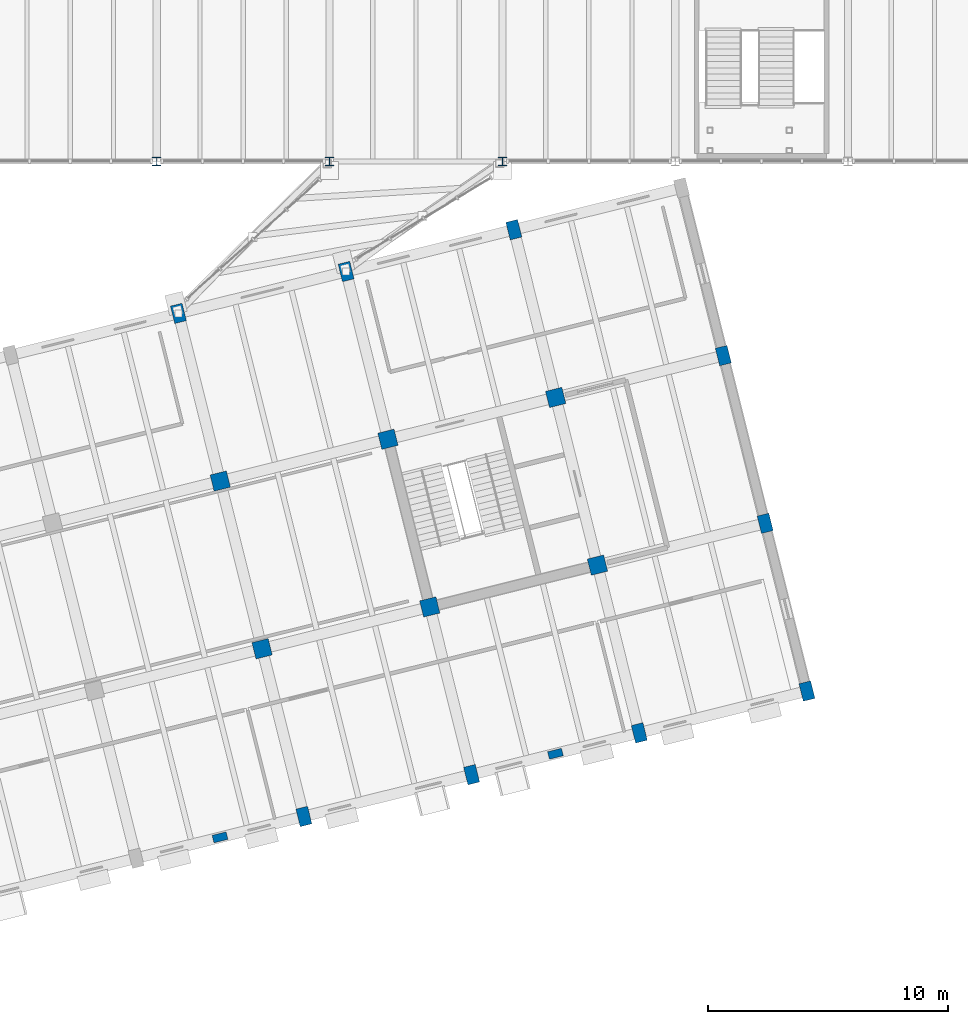
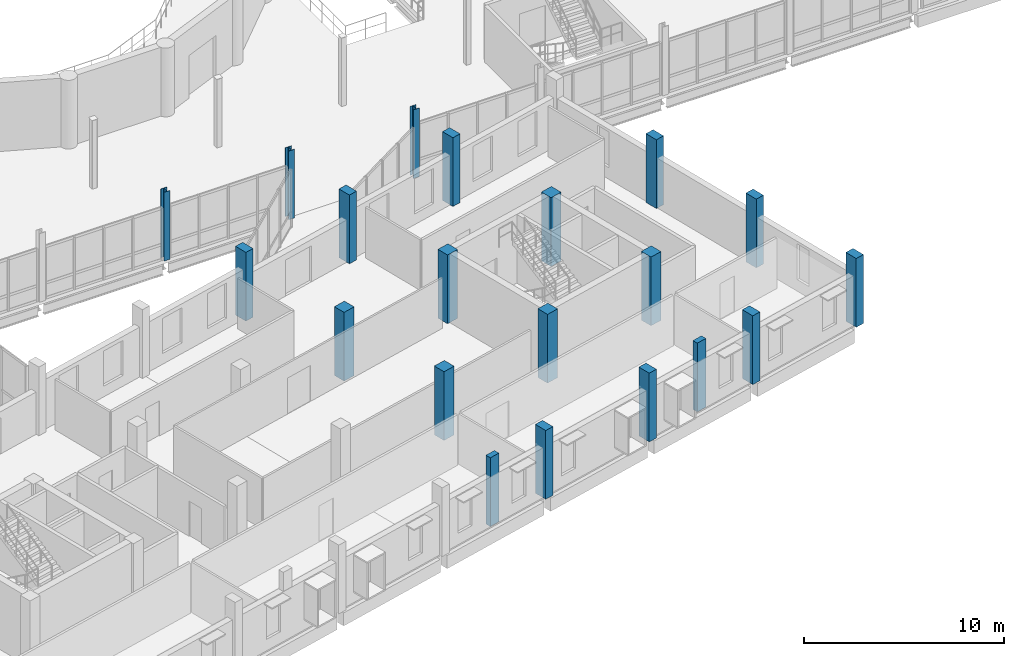
# One storey, part 5 of 72: 20 columns.
"""IFC4 building model written with IfcOpenShell, lengths in metres."""

from ifc_helpers import new_model, si_unit, direction, frame, origin, origin_2d, place, context, subcontext, project, spatial, rectangle, i_section, extrude, material, material_profile, profile_set, type_object, element, save


model = new_model("IFC4")

# Units and contexts
model_context = context("Model", 3, precision=1e-05, world=origin(), true_north=direction((0.0, 1.0)))
body_context = subcontext(model_context, "Body", "Model", "MODEL_VIEW")
ifc_project = project(units=[si_unit("LENGTHUNIT", "METRE"), si_unit("AREAUNIT", "SQUARE_METRE"), si_unit("VOLUMEUNIT", "CUBIC_METRE"), si_unit("PLANEANGLEUNIT", "RADIAN"), si_unit("MASSUNIT", "GRAM", prefix="KILO")], contexts=[model_context])

# Site, building, storey
site_placement = place(None, origin())
site = spatial("IfcSite", under=ifc_project, at=site_placement, CompositionType="ELEMENT")
building_placement = place(site_placement, origin())
building = spatial("IfcBuilding", under=site, at=building_placement, Name="Qiaolan Assembly House", CompositionType="ELEMENT")
storey_placement = place(building_placement, frame((0.0, 0.0, 10.199951171875)))
storey = spatial("IfcBuildingStorey", under=building, at=storey_placement, Name="L02", CompositionType="ELEMENT", Elevation=10.199951171875)

# Columns
ifc_material_1 = material(Name="Concrete C40/50", Category="concrete")
ifc_material_profile_1 = material_profile(ifc_material_1, rectangle(XDim=0.699951171875, YDim=0.699951171875, at=origin_2d()), Name="RC 700x700")
ifc_profile_set_1 = profile_set([ifc_material_profile_1], Name="Concrete C40/50")
column_type_1 = type_object("IfcColumnType", Name="COL-RC-700", PredefinedType="COLUMN", material=ifc_profile_set_1)
for number, where, z_axis, x_axis, name in (
    (1, (69.188720703125, 15.6953125, 0.0), (0.0, 0.0, 1.0), (0.970295726276, 0.2419218956, 0.0), "RC-07 splayed column SE L02"),
    (2, (67.447021484375, 22.681396484375, 0.0), (0.0, 0.0, 1.0), (0.970295726276, 0.2419218956, 0.0), "RC-07 splayed column SE L02"),
    (3, (76.175048828125, 17.437255859375, 0.0), (0.0, 0.0, 1.0), (0.970295726276, 0.2419218956, 0.0), "RC-07 splayed column SE L02"),
    (4, (74.43310546875, 24.42333984375, 0.0), (0.0, 0.0, 1.0), (0.970295726276, 0.2419218956, 0.0), "RC-07 splayed column SE L02"),
    (5, (83.1611328125, 19.178955078125, 0.0), (0.0, 0.0, 1.0), (0.970295726276, 0.2419218956, 0.0), "RC-07 splayed column SE L02"),
    (6, (81.419189453125, 26.1650390625, 0.0), (0.0, 0.0, 1.0), (0.970295726276, 0.2419218956, 0.0), "RC-07 splayed column SE L02"),
):
    element("IfcColumn", number, at=place(storey_placement, frame(where, z_axis=z_axis, x_axis=x_axis)), inside=storey, type_object=column_type_1, Name=name, PredefinedType="COLUMN", context=body_context, shape_type="SweptSolid", body=[
        extrude(rectangle(XDim=0.699951171875, YDim=0.699951171875, at=origin_2d()), origin(), (0.0, 0.0, 1.0), 4.199951171875),
    ])
ifc_material_2 = material(Name="Concrete C45/55", Category="concrete")
ifc_material_profile_2 = material_profile(ifc_material_2, rectangle(XDim=0.5, YDim=0.75, at=origin_2d()), Name="RC 750x500")
ifc_profile_set_2 = profile_set([ifc_material_profile_2], Name="Concrete C45/55")
column_type_2 = type_object("IfcColumnType", Name="COL-RC-750x500", PredefinedType="COLUMN", material=ifc_profile_set_2)
for number, where, z_axis, x_axis, name in (
    (7, (70.9306640625, 8.709228515625, 0.0), (0.0, 0.0, 1.0), (0.970295726276, 0.2419218956, 0.0), "RC-15 splayed column SE L02"),
    (8, (65.705078125, 29.66748046875, 0.0), (0.0, 0.0, 1.0), (0.970295726276, 0.2419218956, 0.0), "RC-15 splayed column SE L02"),
    (9, (77.916748046875, 10.450927734375, 0.0), (0.0, 0.0, 1.0), (0.970295726276, 0.2419218956, 0.0), "RC-15 splayed column SE L02"),
    (10, (72.691162109375, 31.409423828125, 0.0), (0.0, 0.0, 1.0), (0.970295726276, 0.2419218956, 0.0), "RC-15 splayed column SE L02"),
    (11, (84.90283203125, 12.19287109375, 0.0), (0.0, 0.0, 1.0), (0.970295726276, 0.2419218956, 0.0), "RC-15 splayed column SE L02"),
    (12, (79.677490234375, 33.1513671875, 0.0), (0.0, 0.0, 1.0), (0.970295726276, 0.2419218956, 0.0), "RC-15 splayed column SE L02"),
    (13, (91.888916015625, 13.934814453125, 0.0), (0.0, 0.0, 1.0), (0.970295726276, 0.2419218956, 0.0), "RC-15 splayed column SE L02"),
    (14, (90.147216796875, 20.9208984375, 0.0), (0.0, 0.0, 1.0), (0.970295726276, 0.2419218956, 0.0), "RC-15 splayed column SE L02"),
    (15, (88.4052734375, 27.906982421875, 0.0), (0.0, 0.0, 1.0), (0.970295726276, 0.2419218956, 0.0), "RC-15 splayed column SE L02"),
):
    element("IfcColumn", number, at=place(storey_placement, frame(where, z_axis=z_axis, x_axis=x_axis)), inside=storey, type_object=column_type_2, Name=name, PredefinedType="COLUMN", context=body_context, shape_type="SweptSolid", body=[
        extrude(rectangle(XDim=0.5, YDim=0.75, at=origin_2d()), origin(), (0.0, 0.0, 1.0), 4.199951171875),
    ])
ifc_material_3 = material(Name="Steel Q355B", Category="steel")
ifc_material_profile_3 = material_profile(ifc_material_3, i_section(OverallWidth=0.35009765625, OverallDepth=0.35009765625, WebThickness=0.011962890625, FlangeThickness=0.01904296875, FilletRadius=0.02001953125, at=origin_2d()), Name="HW 350x350x12x19")
ifc_profile_set_3 = profile_set([ifc_material_profile_3], Name="Steel Q355B")
column_type_3 = type_object("IfcColumnType", Name="COL-STL-HW350", PredefinedType="COLUMN", material=ifc_profile_set_3)
for number, where, z_axis, x_axis, name in (
    (16, (64.800048828125, 36.0, 0.0), (0.0, 0.0, 1.0), (1.0, 0.0, 0.0), "SC-02 hall column L02"),
    (17, (72.0, 36.0, 0.0), (0.0, 0.0, 1.0), (1.0, 0.0, 0.0), "SC-02 hall column L02"),
    (18, (79.199951171875, 36.0, 0.0), (0.0, 0.0, 1.0), (1.0, 0.0, 0.0), "SC-02 hall column L02"),
):
    element("IfcColumn", number, at=place(storey_placement, frame(where, z_axis=z_axis, x_axis=x_axis)), inside=storey, type_object=column_type_3, Name=name, PredefinedType="COLUMN", context=body_context, shape_type="SweptSolid", body=[
        extrude(i_section(OverallWidth=0.35009765625, OverallDepth=0.35009765625, WebThickness=0.011962890625, FlangeThickness=0.01904296875, FilletRadius=0.02001953125, at=origin_2d()), origin(), (0.0, 0.0, 1.0), 4.199951171875),
    ])
ifc_material_4 = material(Name="Precast concrete C45/55", Category="concrete")
ifc_material_profile_4 = material_profile(ifc_material_4, rectangle(XDim=0.60009765625, YDim=0.320068359375, at=origin_2d()), Name="PIL 600x320")
ifc_profile_set_4 = profile_set([ifc_material_profile_4], Name="Precast concrete C45/55")
column_type_4 = type_object("IfcColumnType", Name="PIL-SE-600x320", PredefinedType="PILASTER", material=ifc_profile_set_4)
for number, where, z_axis, x_axis, name in (
    (19, (67.4375, 7.83837890625, 0.0), (0.0, 0.0, 1.0), (0.970295726276, 0.2419218956, 0.0), "PL-03 boulevard pilaster SE L02"),
    (20, (81.409912109375, 11.322021484375, 0.0), (0.0, 0.0, 1.0), (0.970295726276, 0.2419218956, 0.0), "PL-03 boulevard pilaster SE L02"),
):
    element("IfcColumn", number, at=place(storey_placement, frame(where, z_axis=z_axis, x_axis=x_axis)), inside=storey, type_object=column_type_4, Name=name, PredefinedType="PILASTER", context=body_context, shape_type="SweptSolid", body=[
        extrude(rectangle(XDim=0.60009765625, YDim=0.320068359375, at=origin_2d()), origin(), (0.0, 0.0, 1.0), 4.199951171875),
    ])

save(model, "model.ifc")
